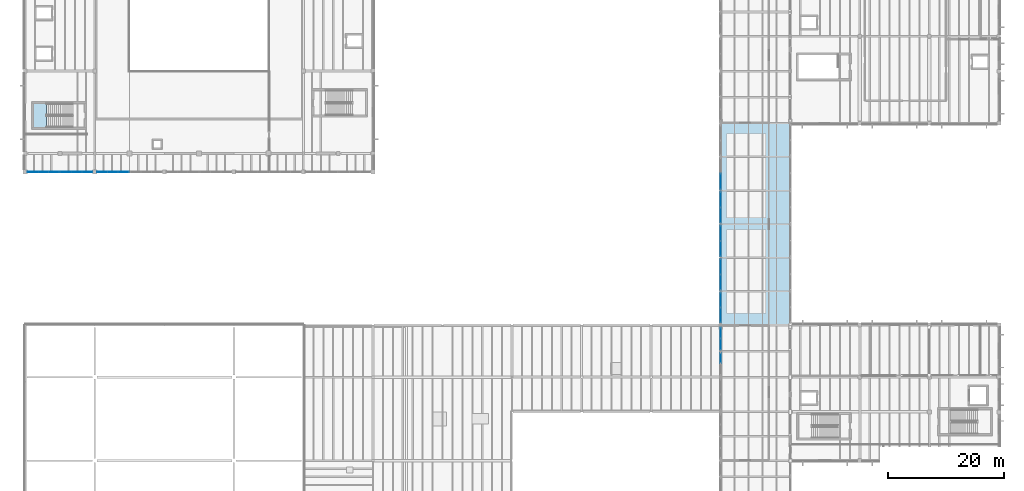
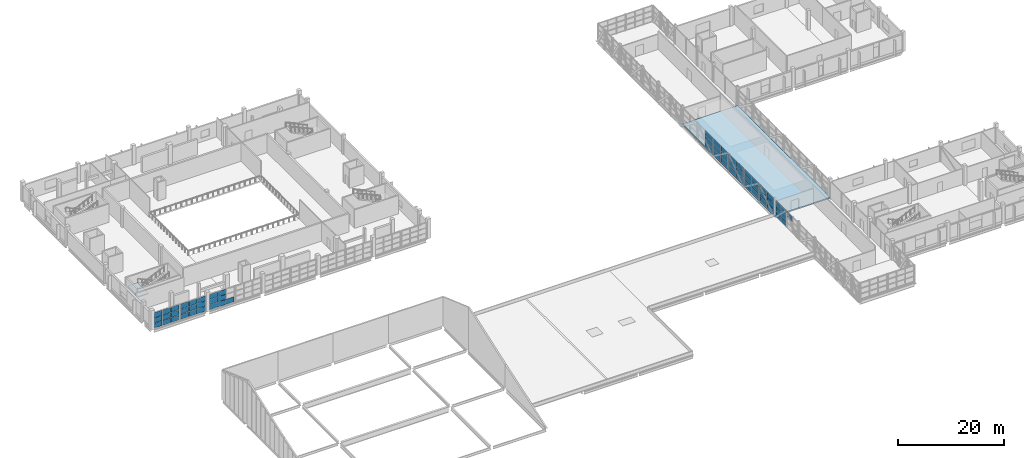
# One storey, part 40 of 63: 59 plates, 2 slabs, 11 elements without a shape of their own.
"""IFC4 building model written with IfcOpenShell, lengths in metres."""

from ifc_helpers import new_model, si_unit, direction, frame, origin, origin_2d, place, context, subcontext, project, spatial, polyline, rectangle, outline, extrude, material, layer, layer_set, type_object, element, aggregate, save


model = new_model("IFC4")

# Units and contexts
model_context = context("Model", 3, precision=1e-05, world=origin(), true_north=direction((0.0, 1.0)))
body_context = subcontext(model_context, "Body", "Model", "MODEL_VIEW")
ifc_project = project(units=[si_unit("LENGTHUNIT", "METRE"), si_unit("AREAUNIT", "SQUARE_METRE"), si_unit("VOLUMEUNIT", "CUBIC_METRE"), si_unit("PLANEANGLEUNIT", "RADIAN"), si_unit("MASSUNIT", "GRAM", prefix="KILO")], contexts=[model_context])

# Site, building, storey
site_placement = place(None, origin())
site = spatial("IfcSite", under=ifc_project, at=site_placement, CompositionType="ELEMENT")
building_placement = place(site_placement, origin())
building = spatial("IfcBuilding", under=site, at=building_placement, Name="Kelmvaro Bay Concert Hall", CompositionType="ELEMENT")
storey_placement = place(building_placement, frame((0.0, 0.0, 13.800048828125)))
storey = spatial("IfcBuildingStorey", under=building, at=storey_placement, Name="L03", CompositionType="ELEMENT", Elevation=13.800048828125)

# Slab
ifc_material_1 = material(Name="Concrete C40/50", Category="concrete")
ifc_layer_1 = layer(ifc_material_1, 0.2900390625)
ifc_layer_set_1 = layer_set([ifc_layer_1], Name="Concrete C40/50")
slab_type_1 = type_object("IfcSlabType", Name="Bridge Composite Deck Slab 290", PredefinedType="FLOOR", material=ifc_layer_set_1)
slab_1_placement = place(storey_placement, frame((0.0, 0.0, -0.2900390625)))
element("IfcSlab", 1, at=slab_1_placement, inside=storey, type_object=slab_type_1, Name="L03 Structural Slab BRG-M1", PredefinedType="FLOOR", context=body_context, shape_type="SweptSolid", body=[
    extrude(outline(polyline([(120.0, 39.0), (132.0, 39.0), (132.0, 73.800048828125), (120.0, 73.800048828125), (120.0, 39.0)])), origin(), (0.0, 0.0, 1.0), 0.2900390625),
])

# Curtain wall, plate
ifc_material_2 = material(Name="Anodised Aluminium and Low-E Insulated Glazing", Category="aluminium")
curtain_wall_type_1 = type_object("IfcCurtainWallType", Name="Rehearsal Bridge Truss Curtain Wall 4020", PredefinedType="USERDEFINED", material=ifc_material_2)
curtain_wall_1_placement = place(storey_placement, origin())
curtain_wall_1 = element("IfcCurtainWall", 2, at=curtain_wall_1_placement, inside=storey, type_object=curtain_wall_type_1, Name="Unitised Curtain Wall CW-BRG-W07", ObjectType="UNITISED GLAZING", PredefinedType="USERDEFINED")
ifc_material_3 = material(Name="Laminated Low-E Insulated Glass", Category="glass")
ifc_layer_2 = layer(ifc_material_3, 1.85009765625)
ifc_layer_set_2 = layer_set([ifc_layer_2], Name="Laminated Low-E Insulated Glass")
plate_type_1 = type_object("IfcPlateType", Name="Bridge Truss Acoustic Glazing Panel 44", PredefinedType="CURTAIN_PANEL", material=ifc_layer_set_2)
plate_1_placement = place(storey_placement, frame((120.0, 33.31494140625, 2.56591796875), z_axis=(0.0, 0.0, 1.0), x_axis=(0.0, 1.0, 0.0)))
plate_1 = element("IfcPlate", 3, at=plate_1_placement, type_object=plate_type_1, Name="CW-BRG-W07 Insulated Glazing Panel 02-3", PredefinedType="CURTAIN_PANEL", context=body_context, shape_type="SweptSolid", body=[
    extrude(rectangle(XDim=1.864990234375, YDim=0.0439453125, at=origin_2d()), origin(), (0.0, 0.0, 1.0), 1.20166015625),
])
aggregate(curtain_wall_1, [plate_1])

# Curtain wall, plates
curtain_wall_2_placement = place(storey_placement, origin())
curtain_wall_2 = element("IfcCurtainWall", 4, at=curtain_wall_2_placement, inside=storey, type_object=curtain_wall_type_1, Name="Unitised Curtain Wall CW-BRG-W08", ObjectType="UNITISED GLAZING", PredefinedType="USERDEFINED")
plate_2_placement = place(storey_placement, frame((120.0, 35.68505859375, 0.032470703125), z_axis=(0.0, 0.0, 1.0), x_axis=(0.0, 1.0, 0.0)))
plate_2 = element("IfcPlate", 5, at=plate_2_placement, type_object=plate_type_1, Name="CW-BRG-W08 Insulated Glazing Panel 01-1", PredefinedType="CURTAIN_PANEL", context=body_context, shape_type="SweptSolid", body=[
    extrude(rectangle(XDim=1.864990234375, YDim=0.0439453125, at=origin_2d()), origin(), (0.0, 0.0, 1.0), 1.20166015625),
])
plate_3_placement = place(storey_placement, frame((120.0, 35.68505859375, 1.299072265625), z_axis=(0.0, 0.0, 1.0), x_axis=(0.0, 1.0, 0.0)))
plate_3 = element("IfcPlate", 6, at=plate_3_placement, type_object=plate_type_1, Name="CW-BRG-W08 Insulated Glazing Panel 01-2", PredefinedType="CURTAIN_PANEL", context=body_context, shape_type="SweptSolid", body=[
    extrude(rectangle(XDim=1.864990234375, YDim=0.0439453125, at=origin_2d()), origin(), (0.0, 0.0, 1.0), 1.20166015625),
])
plate_4_placement = place(storey_placement, frame((120.0, 35.68505859375, 2.56591796875), z_axis=(0.0, 0.0, 1.0), x_axis=(0.0, 1.0, 0.0)))
plate_4 = element("IfcPlate", 7, at=plate_4_placement, type_object=plate_type_1, Name="CW-BRG-W08 Insulated Glazing Panel 01-3", PredefinedType="CURTAIN_PANEL", context=body_context, shape_type="SweptSolid", body=[
    extrude(rectangle(XDim=1.864990234375, YDim=0.0439453125, at=origin_2d()), origin(), (0.0, 0.0, 1.0), 1.20166015625),
])
plate_5_placement = place(storey_placement, frame((120.0, 37.614990234375, 0.032470703125), z_axis=(0.0, 0.0, 1.0), x_axis=(0.0, 1.0, 0.0)))
plate_5 = element("IfcPlate", 8, at=plate_5_placement, type_object=plate_type_1, Name="CW-BRG-W08 Insulated Glazing Panel 02-1", PredefinedType="CURTAIN_PANEL", context=body_context, shape_type="SweptSolid", body=[
    extrude(rectangle(XDim=1.864990234375, YDim=0.0439453125, at=origin_2d()), origin(), (0.0, 0.0, 1.0), 1.20166015625),
])
plate_6_placement = place(storey_placement, frame((120.0, 37.614990234375, 1.299072265625), z_axis=(0.0, 0.0, 1.0), x_axis=(0.0, 1.0, 0.0)))
plate_6 = element("IfcPlate", 9, at=plate_6_placement, type_object=plate_type_1, Name="CW-BRG-W08 Insulated Glazing Panel 02-2", PredefinedType="CURTAIN_PANEL", context=body_context, shape_type="SweptSolid", body=[
    extrude(rectangle(XDim=1.864990234375, YDim=0.0439453125, at=origin_2d()), origin(), (0.0, 0.0, 1.0), 1.20166015625),
])
plate_7_placement = place(storey_placement, frame((120.0, 37.614990234375, 2.56591796875), z_axis=(0.0, 0.0, 1.0), x_axis=(0.0, 1.0, 0.0)))
plate_7 = element("IfcPlate", 10, at=plate_7_placement, type_object=plate_type_1, Name="CW-BRG-W08 Insulated Glazing Panel 02-3", PredefinedType="CURTAIN_PANEL", context=body_context, shape_type="SweptSolid", body=[
    extrude(rectangle(XDim=1.864990234375, YDim=0.0439453125, at=origin_2d()), origin(), (0.0, 0.0, 1.0), 1.20166015625),
])
aggregate(curtain_wall_2, [plate_2, plate_3, plate_4, plate_5, plate_6, plate_7])

curtain_wall_3_placement = place(storey_placement, origin())
curtain_wall_3 = element("IfcCurtainWall", 11, at=curtain_wall_3_placement, inside=storey, type_object=curtain_wall_type_1, Name="Unitised Curtain Wall CW-BRG-W09", ObjectType="UNITISED GLAZING", PredefinedType="USERDEFINED")
plate_8_placement = place(storey_placement, frame((120.0, 40.7099609375, 0.032470703125), z_axis=(0.0, 0.0, 1.0), x_axis=(0.0, 1.0, 0.0)))
plate_8 = element("IfcPlate", 12, at=plate_8_placement, type_object=plate_type_1, Name="CW-BRG-W09 Insulated Glazing Panel 01-1", PredefinedType="CURTAIN_PANEL", context=body_context, shape_type="SweptSolid", body=[
    extrude(rectangle(XDim=2.514892578125, YDim=0.0439453125, at=origin_2d()), origin(), (0.0, 0.0, 1.0), 1.20166015625),
])
plate_9_placement = place(storey_placement, frame((120.0, 40.7099609375, 1.299072265625), z_axis=(0.0, 0.0, 1.0), x_axis=(0.0, 1.0, 0.0)))
plate_9 = element("IfcPlate", 13, at=plate_9_placement, type_object=plate_type_1, Name="CW-BRG-W09 Insulated Glazing Panel 01-2", PredefinedType="CURTAIN_PANEL", context=body_context, shape_type="SweptSolid", body=[
    extrude(rectangle(XDim=2.514892578125, YDim=0.0439453125, at=origin_2d()), origin(), (0.0, 0.0, 1.0), 1.20166015625),
])
plate_10_placement = place(storey_placement, frame((120.0, 40.7099609375, 2.56591796875), z_axis=(0.0, 0.0, 1.0), x_axis=(0.0, 1.0, 0.0)))
plate_10 = element("IfcPlate", 14, at=plate_10_placement, type_object=plate_type_1, Name="CW-BRG-W09 Insulated Glazing Panel 01-3", PredefinedType="CURTAIN_PANEL", context=body_context, shape_type="SweptSolid", body=[
    extrude(rectangle(XDim=2.514892578125, YDim=0.0439453125, at=origin_2d()), origin(), (0.0, 0.0, 1.0), 1.20166015625),
])
plate_11_placement = place(storey_placement, frame((120.0, 43.2900390625, 0.032470703125), z_axis=(0.0, 0.0, 1.0), x_axis=(0.0, 1.0, 0.0)))
plate_11 = element("IfcPlate", 15, at=plate_11_placement, type_object=plate_type_1, Name="CW-BRG-W09 Insulated Glazing Panel 02-1", PredefinedType="CURTAIN_PANEL", context=body_context, shape_type="SweptSolid", body=[
    extrude(rectangle(XDim=2.514892578125, YDim=0.0439453125, at=origin_2d()), origin(), (0.0, 0.0, 1.0), 1.20166015625),
])
plate_12_placement = place(storey_placement, frame((120.0, 43.2900390625, 1.299072265625), z_axis=(0.0, 0.0, 1.0), x_axis=(0.0, 1.0, 0.0)))
plate_12 = element("IfcPlate", 16, at=plate_12_placement, type_object=plate_type_1, Name="CW-BRG-W09 Insulated Glazing Panel 02-2", PredefinedType="CURTAIN_PANEL", context=body_context, shape_type="SweptSolid", body=[
    extrude(rectangle(XDim=2.514892578125, YDim=0.0439453125, at=origin_2d()), origin(), (0.0, 0.0, 1.0), 1.20166015625),
])
plate_13_placement = place(storey_placement, frame((120.0, 43.2900390625, 2.56591796875), z_axis=(0.0, 0.0, 1.0), x_axis=(0.0, 1.0, 0.0)))
plate_13 = element("IfcPlate", 17, at=plate_13_placement, type_object=plate_type_1, Name="CW-BRG-W09 Insulated Glazing Panel 02-3", PredefinedType="CURTAIN_PANEL", context=body_context, shape_type="SweptSolid", body=[
    extrude(rectangle(XDim=2.514892578125, YDim=0.0439453125, at=origin_2d()), origin(), (0.0, 0.0, 1.0), 1.20166015625),
])
aggregate(curtain_wall_3, [plate_8, plate_9, plate_10, plate_11, plate_12, plate_13])

curtain_wall_4_placement = place(storey_placement, origin())
curtain_wall_4 = element("IfcCurtainWall", 18, at=curtain_wall_4_placement, inside=storey, type_object=curtain_wall_type_1, Name="Unitised Curtain Wall CW-BRG-W10", ObjectType="UNITISED GLAZING", PredefinedType="USERDEFINED")
plate_14_placement = place(storey_placement, frame((120.0, 46.360107421875, 0.032470703125), z_axis=(0.0, 0.0, 1.0), x_axis=(0.0, 1.0, 0.0)))
plate_14 = element("IfcPlate", 19, at=plate_14_placement, type_object=plate_type_1, Name="CW-BRG-W10 Insulated Glazing Panel 01-1", PredefinedType="CURTAIN_PANEL", context=body_context, shape_type="SweptSolid", body=[
    extrude(rectangle(XDim=2.614990234375, YDim=0.0439453125, at=origin_2d()), origin(), (0.0, 0.0, 1.0), 1.20166015625),
])
plate_15_placement = place(storey_placement, frame((120.0, 46.360107421875, 1.299072265625), z_axis=(0.0, 0.0, 1.0), x_axis=(0.0, 1.0, 0.0)))
plate_15 = element("IfcPlate", 20, at=plate_15_placement, type_object=plate_type_1, Name="CW-BRG-W10 Insulated Glazing Panel 01-2", PredefinedType="CURTAIN_PANEL", context=body_context, shape_type="SweptSolid", body=[
    extrude(rectangle(XDim=2.614990234375, YDim=0.0439453125, at=origin_2d()), origin(), (0.0, 0.0, 1.0), 1.20166015625),
])
plate_16_placement = place(storey_placement, frame((120.0, 46.360107421875, 2.56591796875), z_axis=(0.0, 0.0, 1.0), x_axis=(0.0, 1.0, 0.0)))
plate_16 = element("IfcPlate", 21, at=plate_16_placement, type_object=plate_type_1, Name="CW-BRG-W10 Insulated Glazing Panel 01-3", PredefinedType="CURTAIN_PANEL", context=body_context, shape_type="SweptSolid", body=[
    extrude(rectangle(XDim=2.614990234375, YDim=0.0439453125, at=origin_2d()), origin(), (0.0, 0.0, 1.0), 1.20166015625),
])
plate_17_placement = place(storey_placement, frame((120.0, 49.0400390625, 0.032470703125), z_axis=(0.0, 0.0, 1.0), x_axis=(0.0, 1.0, 0.0)))
plate_17 = element("IfcPlate", 22, at=plate_17_placement, type_object=plate_type_1, Name="CW-BRG-W10 Insulated Glazing Panel 02-1", PredefinedType="CURTAIN_PANEL", context=body_context, shape_type="SweptSolid", body=[
    extrude(rectangle(XDim=2.614990234375, YDim=0.0439453125, at=origin_2d()), origin(), (0.0, 0.0, 1.0), 1.20166015625),
])
plate_18_placement = place(storey_placement, frame((120.0, 49.0400390625, 1.299072265625), z_axis=(0.0, 0.0, 1.0), x_axis=(0.0, 1.0, 0.0)))
plate_18 = element("IfcPlate", 23, at=plate_18_placement, type_object=plate_type_1, Name="CW-BRG-W10 Insulated Glazing Panel 02-2", PredefinedType="CURTAIN_PANEL", context=body_context, shape_type="SweptSolid", body=[
    extrude(rectangle(XDim=2.614990234375, YDim=0.0439453125, at=origin_2d()), origin(), (0.0, 0.0, 1.0), 1.20166015625),
])
plate_19_placement = place(storey_placement, frame((120.0, 49.0400390625, 2.56591796875), z_axis=(0.0, 0.0, 1.0), x_axis=(0.0, 1.0, 0.0)))
plate_19 = element("IfcPlate", 24, at=plate_19_placement, type_object=plate_type_1, Name="CW-BRG-W10 Insulated Glazing Panel 02-3", PredefinedType="CURTAIN_PANEL", context=body_context, shape_type="SweptSolid", body=[
    extrude(rectangle(XDim=2.614990234375, YDim=0.0439453125, at=origin_2d()), origin(), (0.0, 0.0, 1.0), 1.20166015625),
])
aggregate(curtain_wall_4, [plate_14, plate_15, plate_16, plate_17, plate_18, plate_19])

curtain_wall_5_placement = place(storey_placement, origin())
curtain_wall_5 = element("IfcCurtainWall", 25, at=curtain_wall_5_placement, inside=storey, type_object=curtain_wall_type_1, Name="Unitised Curtain Wall CW-BRG-W11", ObjectType="UNITISED GLAZING", PredefinedType="USERDEFINED")
plate_20_placement = place(storey_placement, frame((120.0, 52.159912109375, 0.032470703125), z_axis=(0.0, 0.0, 1.0), x_axis=(0.0, 1.0, 0.0)))
plate_20 = element("IfcPlate", 26, at=plate_20_placement, type_object=plate_type_1, Name="CW-BRG-W11 Insulated Glazing Panel 01-1", PredefinedType="CURTAIN_PANEL", context=body_context, shape_type="SweptSolid", body=[
    extrude(rectangle(XDim=2.614990234375, YDim=0.0439453125, at=origin_2d()), origin(), (0.0, 0.0, 1.0), 1.20166015625),
])
plate_21_placement = place(storey_placement, frame((120.0, 52.159912109375, 1.299072265625), z_axis=(0.0, 0.0, 1.0), x_axis=(0.0, 1.0, 0.0)))
plate_21 = element("IfcPlate", 27, at=plate_21_placement, type_object=plate_type_1, Name="CW-BRG-W11 Insulated Glazing Panel 01-2", PredefinedType="CURTAIN_PANEL", context=body_context, shape_type="SweptSolid", body=[
    extrude(rectangle(XDim=2.614990234375, YDim=0.0439453125, at=origin_2d()), origin(), (0.0, 0.0, 1.0), 1.20166015625),
])
plate_22_placement = place(storey_placement, frame((120.0, 52.159912109375, 2.56591796875), z_axis=(0.0, 0.0, 1.0), x_axis=(0.0, 1.0, 0.0)))
plate_22 = element("IfcPlate", 28, at=plate_22_placement, type_object=plate_type_1, Name="CW-BRG-W11 Insulated Glazing Panel 01-3", PredefinedType="CURTAIN_PANEL", context=body_context, shape_type="SweptSolid", body=[
    extrude(rectangle(XDim=2.614990234375, YDim=0.0439453125, at=origin_2d()), origin(), (0.0, 0.0, 1.0), 1.20166015625),
])
plate_23_placement = place(storey_placement, frame((120.0, 54.840087890625, 0.032470703125), z_axis=(0.0, 0.0, 1.0), x_axis=(0.0, 1.0, 0.0)))
plate_23 = element("IfcPlate", 29, at=plate_23_placement, type_object=plate_type_1, Name="CW-BRG-W11 Insulated Glazing Panel 02-1", PredefinedType="CURTAIN_PANEL", context=body_context, shape_type="SweptSolid", body=[
    extrude(rectangle(XDim=2.614990234375, YDim=0.0439453125, at=origin_2d()), origin(), (0.0, 0.0, 1.0), 1.20166015625),
])
plate_24_placement = place(storey_placement, frame((120.0, 54.840087890625, 1.299072265625), z_axis=(0.0, 0.0, 1.0), x_axis=(0.0, 1.0, 0.0)))
plate_24 = element("IfcPlate", 30, at=plate_24_placement, type_object=plate_type_1, Name="CW-BRG-W11 Insulated Glazing Panel 02-2", PredefinedType="CURTAIN_PANEL", context=body_context, shape_type="SweptSolid", body=[
    extrude(rectangle(XDim=2.614990234375, YDim=0.0439453125, at=origin_2d()), origin(), (0.0, 0.0, 1.0), 1.20166015625),
])
plate_25_placement = place(storey_placement, frame((120.0, 54.840087890625, 2.56591796875), z_axis=(0.0, 0.0, 1.0), x_axis=(0.0, 1.0, 0.0)))
plate_25 = element("IfcPlate", 31, at=plate_25_placement, type_object=plate_type_1, Name="CW-BRG-W11 Insulated Glazing Panel 02-3", PredefinedType="CURTAIN_PANEL", context=body_context, shape_type="SweptSolid", body=[
    extrude(rectangle(XDim=2.614990234375, YDim=0.0439453125, at=origin_2d()), origin(), (0.0, 0.0, 1.0), 1.20166015625),
])
aggregate(curtain_wall_5, [plate_20, plate_21, plate_22, plate_23, plate_24, plate_25])

curtain_wall_6_placement = place(storey_placement, origin())
curtain_wall_6 = element("IfcCurtainWall", 32, at=curtain_wall_6_placement, inside=storey, type_object=curtain_wall_type_1, Name="Unitised Curtain Wall CW-BRG-W12", ObjectType="UNITISED GLAZING", PredefinedType="USERDEFINED")
plate_26_placement = place(storey_placement, frame((120.0, 57.9599609375, 0.032470703125), z_axis=(0.0, 0.0, 1.0), x_axis=(0.0, 1.0, 0.0)))
plate_26 = element("IfcPlate", 33, at=plate_26_placement, type_object=plate_type_1, Name="CW-BRG-W12 Insulated Glazing Panel 01-1", PredefinedType="CURTAIN_PANEL", context=body_context, shape_type="SweptSolid", body=[
    extrude(rectangle(XDim=2.614990234375, YDim=0.0439453125, at=origin_2d()), origin(), (0.0, 0.0, 1.0), 1.20166015625),
])
plate_27_placement = place(storey_placement, frame((120.0, 57.9599609375, 1.299072265625), z_axis=(0.0, 0.0, 1.0), x_axis=(0.0, 1.0, 0.0)))
plate_27 = element("IfcPlate", 34, at=plate_27_placement, type_object=plate_type_1, Name="CW-BRG-W12 Insulated Glazing Panel 01-2", PredefinedType="CURTAIN_PANEL", context=body_context, shape_type="SweptSolid", body=[
    extrude(rectangle(XDim=2.614990234375, YDim=0.0439453125, at=origin_2d()), origin(), (0.0, 0.0, 1.0), 1.20166015625),
])
plate_28_placement = place(storey_placement, frame((120.0, 57.9599609375, 2.56591796875), z_axis=(0.0, 0.0, 1.0), x_axis=(0.0, 1.0, 0.0)))
plate_28 = element("IfcPlate", 35, at=plate_28_placement, type_object=plate_type_1, Name="CW-BRG-W12 Insulated Glazing Panel 01-3", PredefinedType="CURTAIN_PANEL", context=body_context, shape_type="SweptSolid", body=[
    extrude(rectangle(XDim=2.614990234375, YDim=0.0439453125, at=origin_2d()), origin(), (0.0, 0.0, 1.0), 1.20166015625),
])
plate_29_placement = place(storey_placement, frame((120.0, 60.639892578125, 0.032470703125), z_axis=(0.0, 0.0, 1.0), x_axis=(0.0, 1.0, 0.0)))
plate_29 = element("IfcPlate", 36, at=plate_29_placement, type_object=plate_type_1, Name="CW-BRG-W12 Insulated Glazing Panel 02-1", PredefinedType="CURTAIN_PANEL", context=body_context, shape_type="SweptSolid", body=[
    extrude(rectangle(XDim=2.614990234375, YDim=0.0439453125, at=origin_2d()), origin(), (0.0, 0.0, 1.0), 1.20166015625),
])
plate_30_placement = place(storey_placement, frame((120.0, 60.639892578125, 1.299072265625), z_axis=(0.0, 0.0, 1.0), x_axis=(0.0, 1.0, 0.0)))
plate_30 = element("IfcPlate", 37, at=plate_30_placement, type_object=plate_type_1, Name="CW-BRG-W12 Insulated Glazing Panel 02-2", PredefinedType="CURTAIN_PANEL", context=body_context, shape_type="SweptSolid", body=[
    extrude(rectangle(XDim=2.614990234375, YDim=0.0439453125, at=origin_2d()), origin(), (0.0, 0.0, 1.0), 1.20166015625),
])
plate_31_placement = place(storey_placement, frame((120.0, 60.639892578125, 2.56591796875), z_axis=(0.0, 0.0, 1.0), x_axis=(0.0, 1.0, 0.0)))
plate_31 = element("IfcPlate", 38, at=plate_31_placement, type_object=plate_type_1, Name="CW-BRG-W12 Insulated Glazing Panel 02-3", PredefinedType="CURTAIN_PANEL", context=body_context, shape_type="SweptSolid", body=[
    extrude(rectangle(XDim=2.614990234375, YDim=0.0439453125, at=origin_2d()), origin(), (0.0, 0.0, 1.0), 1.20166015625),
])
aggregate(curtain_wall_6, [plate_26, plate_27, plate_28, plate_29, plate_30, plate_31])

curtain_wall_7_placement = place(storey_placement, origin())
curtain_wall_7 = element("IfcCurtainWall", 39, at=curtain_wall_7_placement, inside=storey, type_object=curtain_wall_type_1, Name="Unitised Curtain Wall CW-BRG-W13", ObjectType="UNITISED GLAZING", PredefinedType="USERDEFINED")
plate_32_placement = place(storey_placement, frame((120.0, 63.760009765625, 0.032470703125), z_axis=(0.0, 0.0, 1.0), x_axis=(0.0, 1.0, 0.0)))
plate_32 = element("IfcPlate", 40, at=plate_32_placement, type_object=plate_type_1, Name="CW-BRG-W13 Insulated Glazing Panel 01-1", PredefinedType="CURTAIN_PANEL", context=body_context, shape_type="SweptSolid", body=[
    extrude(rectangle(XDim=2.614990234375, YDim=0.0439453125, at=origin_2d()), origin(), (0.0, 0.0, 1.0), 1.20166015625),
])
plate_33_placement = place(storey_placement, frame((120.0, 63.760009765625, 1.299072265625), z_axis=(0.0, 0.0, 1.0), x_axis=(0.0, 1.0, 0.0)))
plate_33 = element("IfcPlate", 41, at=plate_33_placement, type_object=plate_type_1, Name="CW-BRG-W13 Insulated Glazing Panel 01-2", PredefinedType="CURTAIN_PANEL", context=body_context, shape_type="SweptSolid", body=[
    extrude(rectangle(XDim=2.614990234375, YDim=0.0439453125, at=origin_2d()), origin(), (0.0, 0.0, 1.0), 1.20166015625),
])
plate_34_placement = place(storey_placement, frame((120.0, 63.760009765625, 2.56591796875), z_axis=(0.0, 0.0, 1.0), x_axis=(0.0, 1.0, 0.0)))
plate_34 = element("IfcPlate", 42, at=plate_34_placement, type_object=plate_type_1, Name="CW-BRG-W13 Insulated Glazing Panel 01-3", PredefinedType="CURTAIN_PANEL", context=body_context, shape_type="SweptSolid", body=[
    extrude(rectangle(XDim=2.614990234375, YDim=0.0439453125, at=origin_2d()), origin(), (0.0, 0.0, 1.0), 1.20166015625),
])
aggregate(curtain_wall_7, [plate_32, plate_33, plate_34])

# Stair, slab
ifc_material_4 = material(Name="Concrete C40/50", Category="concrete")
stair_type = type_object("IfcStairType", Name="Core Dogleg Exit Stair 1980", PredefinedType="USERDEFINED", material=ifc_material_4)
stair_placement = place(storey_placement, origin())
stair = element("IfcStair", 43, at=stair_placement, inside=storey, type_object=stair_type, Name="L03 Exit Stair ST-01", ObjectType="TWO_RETURN_STAIR", PredefinedType="USERDEFINED")
ifc_material_5 = material(Name="Concrete C40/50", Category="concrete")
ifc_layer_3 = layer(ifc_material_5, 0.199951171875)
ifc_layer_set_3 = layer_set([ifc_layer_3], Name="Concrete C40/50")
slab_type_2 = type_object("IfcSlabType", Name="Core Stair Half-Landing Slab 200", PredefinedType="LANDING", material=ifc_layer_set_3)
slab_2_placement = place(storey_placement, frame((0.0, 0.0, 2.050048828125)))
slab_2 = element("IfcSlab", 44, at=slab_2_placement, type_object=slab_type_2, Name="ST-01 landing 1", PredefinedType="LANDING", context=body_context, shape_type="SweptSolid", body=[
    extrude(outline(polyline([(3.696044921875, 77.199951171875), (1.449951171875, 77.199951171875), (1.449951171875, 73.090087890625), (3.696044921875, 73.090087890625), (3.696044921875, 77.199951171875)])), origin(), (0.0, 0.0, 1.0), 0.199951171875),
])
aggregate(stair, [slab_2])

# Curtain wall, plates
ifc_material_6 = material(Name="Anodised Aluminium and Low-E Insulated Glazing", Category="aluminium")
curtain_wall_type_2 = type_object("IfcCurtainWallType", Name="Symphony South Gallery Curtain Wall 3920", PredefinedType="USERDEFINED", material=ifc_material_6)
curtain_wall_8_placement = place(storey_placement, origin())
curtain_wall_8 = element("IfcCurtainWall", 45, at=curtain_wall_8_placement, inside=storey, type_object=curtain_wall_type_2, Name="Unitised Curtain Wall CW-L03-020", ObjectType="UNITISED GLAZING", PredefinedType="USERDEFINED")
ifc_material_7 = material(Name="Laminated Low-E Insulated Glass", Category="glass")
ifc_layer_4 = layer(ifc_material_7, 1.85009765625)
ifc_layer_set_4 = layer_set([ifc_layer_4], Name="Laminated Low-E Insulated Glass")
plate_type_2 = type_object("IfcPlateType", Name="Symphony Foyer Triple Acoustic Glass 60", PredefinedType="CURTAIN_PANEL", material=ifc_layer_set_4)
plate_35_placement = place(storey_placement, frame((4.955078125, 65.39990234375, 0.0322265625), z_axis=(0.0, 0.0, 1.0), x_axis=(-1.0, 0.0, 0.0)))
plate_35 = element("IfcPlate", 46, at=plate_35_placement, type_object=plate_type_2, Name="CW-L03-020 Insulated Glazing Panel 01-1", PredefinedType="CURTAIN_PANEL", context=body_context, shape_type="SweptSolid", body=[
    extrude(rectangle(XDim=1.7451171875, YDim=0.06005859375, at=origin_2d()), origin(), (0.0, 0.0, 1.0), 1.124755859375),
])
plate_36_placement = place(storey_placement, frame((4.955078125, 65.39990234375, 1.22216796875), z_axis=(0.0, 0.0, 1.0), x_axis=(-1.0, 0.0, 0.0)))
plate_36 = element("IfcPlate", 47, at=plate_36_placement, type_object=plate_type_2, Name="CW-L03-020 Insulated Glazing Panel 01-2", PredefinedType="CURTAIN_PANEL", context=body_context, shape_type="SweptSolid", body=[
    extrude(rectangle(XDim=1.7451171875, YDim=0.06005859375, at=origin_2d()), origin(), (0.0, 0.0, 1.0), 1.12451171875),
])
plate_37_placement = place(storey_placement, frame((4.955078125, 65.39990234375, 2.41162109375), z_axis=(0.0, 0.0, 1.0), x_axis=(-1.0, 0.0, 0.0)))
plate_37 = element("IfcPlate", 48, at=plate_37_placement, type_object=plate_type_2, Name="CW-L03-020 Insulated Glazing Panel 01-3", PredefinedType="CURTAIN_PANEL", context=body_context, shape_type="SweptSolid", body=[
    extrude(rectangle(XDim=1.7451171875, YDim=0.06005859375, at=origin_2d()), origin(), (0.0, 0.0, 1.0), 1.124755859375),
])
plate_38_placement = place(storey_placement, frame((3.14501953125, 65.39990234375, 0.0322265625), z_axis=(0.0, 0.0, 1.0), x_axis=(-1.0, 0.0, 0.0)))
plate_38 = element("IfcPlate", 49, at=plate_38_placement, type_object=plate_type_2, Name="CW-L03-020 Insulated Glazing Panel 02-1", PredefinedType="CURTAIN_PANEL", context=body_context, shape_type="SweptSolid", body=[
    extrude(rectangle(XDim=1.7451171875, YDim=0.06005859375, at=origin_2d()), origin(), (0.0, 0.0, 1.0), 1.124755859375),
])
plate_39_placement = place(storey_placement, frame((3.14501953125, 65.39990234375, 1.22216796875), z_axis=(0.0, 0.0, 1.0), x_axis=(-1.0, 0.0, 0.0)))
plate_39 = element("IfcPlate", 50, at=plate_39_placement, type_object=plate_type_2, Name="CW-L03-020 Insulated Glazing Panel 02-2", PredefinedType="CURTAIN_PANEL", context=body_context, shape_type="SweptSolid", body=[
    extrude(rectangle(XDim=1.7451171875, YDim=0.06005859375, at=origin_2d()), origin(), (0.0, 0.0, 1.0), 1.12451171875),
])
plate_40_placement = place(storey_placement, frame((3.14501953125, 65.39990234375, 2.41162109375), z_axis=(0.0, 0.0, 1.0), x_axis=(-1.0, 0.0, 0.0)))
plate_40 = element("IfcPlate", 51, at=plate_40_placement, type_object=plate_type_2, Name="CW-L03-020 Insulated Glazing Panel 02-3", PredefinedType="CURTAIN_PANEL", context=body_context, shape_type="SweptSolid", body=[
    extrude(rectangle(XDim=1.7451171875, YDim=0.06005859375, at=origin_2d()), origin(), (0.0, 0.0, 1.0), 1.124755859375),
])
plate_41_placement = place(storey_placement, frame((1.3349609375, 65.39990234375, 0.0322265625), z_axis=(0.0, 0.0, 1.0), x_axis=(-1.0, 0.0, 0.0)))
plate_41 = element("IfcPlate", 52, at=plate_41_placement, type_object=plate_type_2, Name="CW-L03-020 Insulated Glazing Panel 03-1", PredefinedType="CURTAIN_PANEL", context=body_context, shape_type="SweptSolid", body=[
    extrude(rectangle(XDim=1.7451171875, YDim=0.06005859375, at=origin_2d()), origin(), (0.0, 0.0, 1.0), 1.124755859375),
])
plate_42_placement = place(storey_placement, frame((1.3349609375, 65.39990234375, 1.22216796875), z_axis=(0.0, 0.0, 1.0), x_axis=(-1.0, 0.0, 0.0)))
plate_42 = element("IfcPlate", 53, at=plate_42_placement, type_object=plate_type_2, Name="CW-L03-020 Insulated Glazing Panel 03-2", PredefinedType="CURTAIN_PANEL", context=body_context, shape_type="SweptSolid", body=[
    extrude(rectangle(XDim=1.7451171875, YDim=0.06005859375, at=origin_2d()), origin(), (0.0, 0.0, 1.0), 1.12451171875),
])
plate_43_placement = place(storey_placement, frame((1.3349609375, 65.39990234375, 2.41162109375), z_axis=(0.0, 0.0, 1.0), x_axis=(-1.0, 0.0, 0.0)))
plate_43 = element("IfcPlate", 54, at=plate_43_placement, type_object=plate_type_2, Name="CW-L03-020 Insulated Glazing Panel 03-3", PredefinedType="CURTAIN_PANEL", context=body_context, shape_type="SweptSolid", body=[
    extrude(rectangle(XDim=1.7451171875, YDim=0.06005859375, at=origin_2d()), origin(), (0.0, 0.0, 1.0), 1.124755859375),
])
aggregate(curtain_wall_8, [plate_35, plate_36, plate_37, plate_38, plate_39, plate_40, plate_41, plate_42, plate_43])

curtain_wall_9_placement = place(storey_placement, origin())
curtain_wall_9 = element("IfcCurtainWall", 55, at=curtain_wall_9_placement, inside=storey, type_object=curtain_wall_type_2, Name="Unitised Curtain Wall CW-L03-021", ObjectType="UNITISED GLAZING", PredefinedType="USERDEFINED")
plate_44_placement = place(storey_placement, frame((10.685791015625, 65.39990234375, 0.0322265625), z_axis=(0.0, 0.0, 1.0), x_axis=(-1.0, 0.0, 0.0)))
plate_44 = element("IfcPlate", 56, at=plate_44_placement, type_object=plate_type_2, Name="CW-L03-021 Insulated Glazing Panel 01-1", PredefinedType="CURTAIN_PANEL", context=body_context, shape_type="SweptSolid", body=[
    extrude(rectangle(XDim=1.75341796875, YDim=0.06005859375, at=origin_2d()), origin(), (0.0, 0.0, 1.0), 1.124755859375),
])
plate_45_placement = place(storey_placement, frame((10.685791015625, 65.39990234375, 1.22216796875), z_axis=(0.0, 0.0, 1.0), x_axis=(-1.0, 0.0, 0.0)))
plate_45 = element("IfcPlate", 57, at=plate_45_placement, type_object=plate_type_2, Name="CW-L03-021 Insulated Glazing Panel 01-2", PredefinedType="CURTAIN_PANEL", context=body_context, shape_type="SweptSolid", body=[
    extrude(rectangle(XDim=1.75341796875, YDim=0.06005859375, at=origin_2d()), origin(), (0.0, 0.0, 1.0), 1.12451171875),
])
plate_46_placement = place(storey_placement, frame((10.685791015625, 65.39990234375, 2.41162109375), z_axis=(0.0, 0.0, 1.0), x_axis=(-1.0, 0.0, 0.0)))
plate_46 = element("IfcPlate", 58, at=plate_46_placement, type_object=plate_type_2, Name="CW-L03-021 Insulated Glazing Panel 01-3", PredefinedType="CURTAIN_PANEL", context=body_context, shape_type="SweptSolid", body=[
    extrude(rectangle(XDim=1.75341796875, YDim=0.06005859375, at=origin_2d()), origin(), (0.0, 0.0, 1.0), 1.124755859375),
])
plate_47_placement = place(storey_placement, frame((8.867431640625, 65.39990234375, 0.0322265625), z_axis=(0.0, 0.0, 1.0), x_axis=(-1.0, 0.0, 0.0)))
plate_47 = element("IfcPlate", 59, at=plate_47_placement, type_object=plate_type_2, Name="CW-L03-021 Insulated Glazing Panel 02-1", PredefinedType="CURTAIN_PANEL", context=body_context, shape_type="SweptSolid", body=[
    extrude(rectangle(XDim=1.75341796875, YDim=0.06005859375, at=origin_2d()), origin(), (0.0, 0.0, 1.0), 1.124755859375),
])
plate_48_placement = place(storey_placement, frame((8.867431640625, 65.39990234375, 1.22216796875), z_axis=(0.0, 0.0, 1.0), x_axis=(-1.0, 0.0, 0.0)))
plate_48 = element("IfcPlate", 60, at=plate_48_placement, type_object=plate_type_2, Name="CW-L03-021 Insulated Glazing Panel 02-2", PredefinedType="CURTAIN_PANEL", context=body_context, shape_type="SweptSolid", body=[
    extrude(rectangle(XDim=1.75341796875, YDim=0.06005859375, at=origin_2d()), origin(), (0.0, 0.0, 1.0), 1.12451171875),
])
plate_49_placement = place(storey_placement, frame((8.867431640625, 65.39990234375, 2.41162109375), z_axis=(0.0, 0.0, 1.0), x_axis=(-1.0, 0.0, 0.0)))
plate_49 = element("IfcPlate", 61, at=plate_49_placement, type_object=plate_type_2, Name="CW-L03-021 Insulated Glazing Panel 02-3", PredefinedType="CURTAIN_PANEL", context=body_context, shape_type="SweptSolid", body=[
    extrude(rectangle(XDim=1.75341796875, YDim=0.06005859375, at=origin_2d()), origin(), (0.0, 0.0, 1.0), 1.124755859375),
])
plate_50_placement = place(storey_placement, frame((7.04931640625, 65.39990234375, 0.0322265625), z_axis=(0.0, 0.0, 1.0), x_axis=(-1.0, 0.0, 0.0)))
plate_50 = element("IfcPlate", 62, at=plate_50_placement, type_object=plate_type_2, Name="CW-L03-021 Insulated Glazing Panel 03-1", PredefinedType="CURTAIN_PANEL", context=body_context, shape_type="SweptSolid", body=[
    extrude(rectangle(XDim=1.75341796875, YDim=0.06005859375, at=origin_2d()), origin(), (0.0, 0.0, 1.0), 1.124755859375),
])
plate_51_placement = place(storey_placement, frame((7.04931640625, 65.39990234375, 1.22216796875), z_axis=(0.0, 0.0, 1.0), x_axis=(-1.0, 0.0, 0.0)))
plate_51 = element("IfcPlate", 63, at=plate_51_placement, type_object=plate_type_2, Name="CW-L03-021 Insulated Glazing Panel 03-2", PredefinedType="CURTAIN_PANEL", context=body_context, shape_type="SweptSolid", body=[
    extrude(rectangle(XDim=1.75341796875, YDim=0.06005859375, at=origin_2d()), origin(), (0.0, 0.0, 1.0), 1.12451171875),
])
plate_52_placement = place(storey_placement, frame((7.04931640625, 65.39990234375, 2.41162109375), z_axis=(0.0, 0.0, 1.0), x_axis=(-1.0, 0.0, 0.0)))
plate_52 = element("IfcPlate", 64, at=plate_52_placement, type_object=plate_type_2, Name="CW-L03-021 Insulated Glazing Panel 03-3", PredefinedType="CURTAIN_PANEL", context=body_context, shape_type="SweptSolid", body=[
    extrude(rectangle(XDim=1.75341796875, YDim=0.06005859375, at=origin_2d()), origin(), (0.0, 0.0, 1.0), 1.124755859375),
])
aggregate(curtain_wall_9, [plate_44, plate_45, plate_46, plate_47, plate_48, plate_49, plate_50, plate_51, plate_52])

curtain_wall_10_placement = place(storey_placement, origin())
curtain_wall_10 = element("IfcCurtainWall", 65, at=curtain_wall_10_placement, inside=storey, type_object=curtain_wall_type_2, Name="Unitised Curtain Wall CW-L03-022", ObjectType="UNITISED GLAZING", PredefinedType="USERDEFINED")
plate_53_placement = place(storey_placement, frame((16.95068359375, 65.39990234375, 0.0322265625), z_axis=(0.0, 0.0, 1.0), x_axis=(-1.0, 0.0, 0.0)))
plate_53 = element("IfcPlate", 66, at=plate_53_placement, type_object=plate_type_2, Name="CW-L03-022 Insulated Glazing Panel 01-1", PredefinedType="CURTAIN_PANEL", context=body_context, shape_type="SweptSolid", body=[
    extrude(rectangle(XDim=1.75341796875, YDim=0.06005859375, at=origin_2d()), origin(), (0.0, 0.0, 1.0), 1.124755859375),
])
plate_54_placement = place(storey_placement, frame((15.132568359375, 65.39990234375, 0.0322265625), z_axis=(0.0, 0.0, 1.0), x_axis=(-1.0, 0.0, 0.0)))
plate_54 = element("IfcPlate", 67, at=plate_54_placement, type_object=plate_type_2, Name="CW-L03-022 Insulated Glazing Panel 02-1", PredefinedType="CURTAIN_PANEL", context=body_context, shape_type="SweptSolid", body=[
    extrude(rectangle(XDim=1.75341796875, YDim=0.06005859375, at=origin_2d()), origin(), (0.0, 0.0, 1.0), 1.124755859375),
])
plate_55_placement = place(storey_placement, frame((15.132568359375, 65.39990234375, 1.22216796875), z_axis=(0.0, 0.0, 1.0), x_axis=(-1.0, 0.0, 0.0)))
plate_55 = element("IfcPlate", 68, at=plate_55_placement, type_object=plate_type_2, Name="CW-L03-022 Insulated Glazing Panel 02-2", PredefinedType="CURTAIN_PANEL", context=body_context, shape_type="SweptSolid", body=[
    extrude(rectangle(XDim=1.75341796875, YDim=0.06005859375, at=origin_2d()), origin(), (0.0, 0.0, 1.0), 1.12451171875),
])
plate_56_placement = place(storey_placement, frame((15.132568359375, 65.39990234375, 2.41162109375), z_axis=(0.0, 0.0, 1.0), x_axis=(-1.0, 0.0, 0.0)))
plate_56 = element("IfcPlate", 69, at=plate_56_placement, type_object=plate_type_2, Name="CW-L03-022 Insulated Glazing Panel 02-3", PredefinedType="CURTAIN_PANEL", context=body_context, shape_type="SweptSolid", body=[
    extrude(rectangle(XDim=1.75341796875, YDim=0.06005859375, at=origin_2d()), origin(), (0.0, 0.0, 1.0), 1.124755859375),
])
plate_57_placement = place(storey_placement, frame((13.314208984375, 65.39990234375, 0.0322265625), z_axis=(0.0, 0.0, 1.0), x_axis=(-1.0, 0.0, 0.0)))
plate_57 = element("IfcPlate", 70, at=plate_57_placement, type_object=plate_type_2, Name="CW-L03-022 Insulated Glazing Panel 03-1", PredefinedType="CURTAIN_PANEL", context=body_context, shape_type="SweptSolid", body=[
    extrude(rectangle(XDim=1.75341796875, YDim=0.06005859375, at=origin_2d()), origin(), (0.0, 0.0, 1.0), 1.124755859375),
])
plate_58_placement = place(storey_placement, frame((13.314208984375, 65.39990234375, 1.22216796875), z_axis=(0.0, 0.0, 1.0), x_axis=(-1.0, 0.0, 0.0)))
plate_58 = element("IfcPlate", 71, at=plate_58_placement, type_object=plate_type_2, Name="CW-L03-022 Insulated Glazing Panel 03-2", PredefinedType="CURTAIN_PANEL", context=body_context, shape_type="SweptSolid", body=[
    extrude(rectangle(XDim=1.75341796875, YDim=0.06005859375, at=origin_2d()), origin(), (0.0, 0.0, 1.0), 1.12451171875),
])
plate_59_placement = place(storey_placement, frame((13.314208984375, 65.39990234375, 2.41162109375), z_axis=(0.0, 0.0, 1.0), x_axis=(-1.0, 0.0, 0.0)))
plate_59 = element("IfcPlate", 72, at=plate_59_placement, type_object=plate_type_2, Name="CW-L03-022 Insulated Glazing Panel 03-3", PredefinedType="CURTAIN_PANEL", context=body_context, shape_type="SweptSolid", body=[
    extrude(rectangle(XDim=1.75341796875, YDim=0.06005859375, at=origin_2d()), origin(), (0.0, 0.0, 1.0), 1.124755859375),
])
aggregate(curtain_wall_10, [plate_53, plate_54, plate_55, plate_56, plate_57, plate_58, plate_59])

save(model, "model.ifc")
